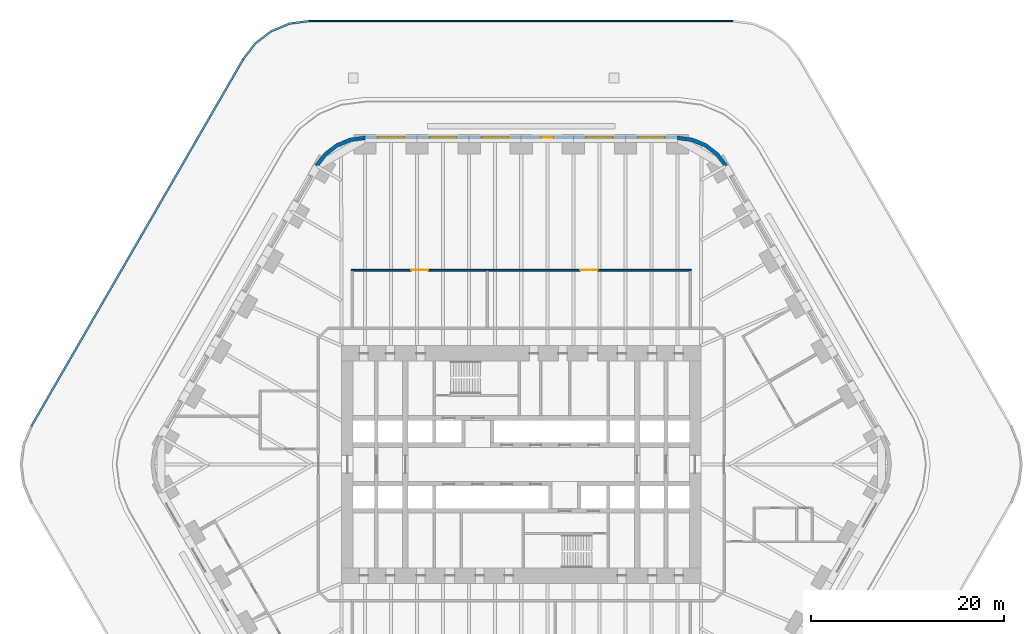
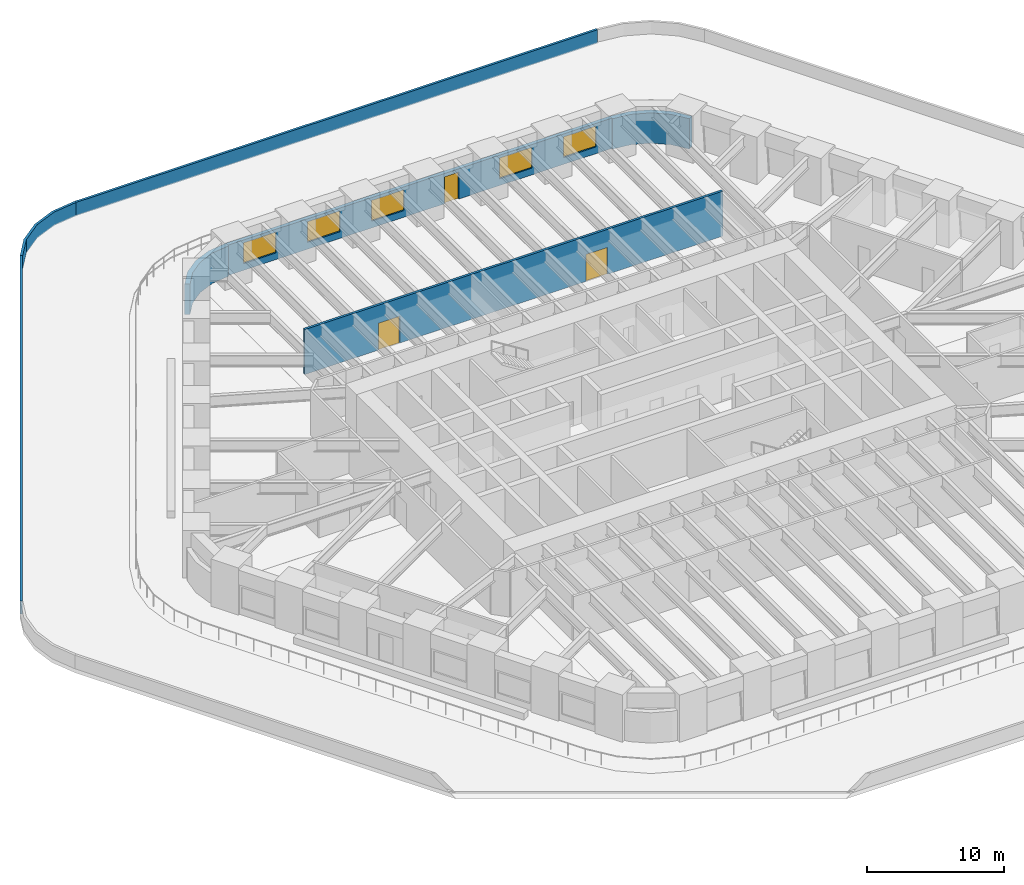
# One storey, part 13 of 17: 7 walls, 5 windows, 3 doors, 8 openings.
"""IFC4 building model written with IfcOpenShell, lengths in metres."""

from ifc_helpers import new_model, si_unit, direction, frame, frame_2d, origin, place, context, subcontext, project, spatial, polyline, rectangle, outline, extrude, material, layer, layer_set, type_object, element, fill, save


model = new_model("IFC4")

# Units and contexts
model_context = context("Model", 3, precision=1e-05, world=origin(), true_north=direction((0.0, 1.0)))
body_context = subcontext(model_context, "Body", "Model", "MODEL_VIEW")
ifc_project = project(units=[si_unit("LENGTHUNIT", "METRE"), si_unit("AREAUNIT", "SQUARE_METRE"), si_unit("VOLUMEUNIT", "CUBIC_METRE"), si_unit("PLANEANGLEUNIT", "RADIAN"), si_unit("MASSUNIT", "GRAM", prefix="KILO")], contexts=[model_context])

# Site, building, storey
site_placement = place(None, origin())
site = spatial("IfcSite", under=ifc_project, at=site_placement, CompositionType="ELEMENT")
building_placement = place(site_placement, origin())
building = spatial("IfcBuilding", under=site, at=building_placement, Name="Tarfa Lantern Tower", CompositionType="ELEMENT")
storey_placement = place(building_placement, frame((0.0, 0.0, 23.5)))
storey = spatial("IfcBuildingStorey", under=building, at=storey_placement, Name="L04", CompositionType="ELEMENT", Elevation=23.5)

# Wall, openings, door, windows
ifc_material_1 = material(Name="Limestone cladding on blockwork", Category="masonry")
ifc_layer_1 = layer(ifc_material_1, 0.300048828125)
ifc_layer_set_1 = layer_set([ifc_layer_1], Name="EW1 STONE-CLAD WALL 300")
wall_type_1 = type_object("IfcWallType", Name="EW1 STONE-CLAD WALL 300", PredefinedType="SOLIDWALL", material=ifc_layer_set_1)
wall_1_placement = place(storey_placement, frame((16.165771484375, 33.85009765625, 0.0), z_axis=(0.0, 0.0, 1.0), x_axis=(-1.0, 0.0, 0.0)))
wall_1 = element("IfcWall", 1, at=wall_1_placement, inside=storey, type_object=wall_type_1, Name="Stone wall N", PredefinedType="SOLIDWALL", context=body_context, shape_type="SweptSolid", body=[
    extrude(rectangle(XDim=32.33154296875, YDim=0.300048828125, at=frame_2d((16.165771484375, 0.0))), origin(), (0.0, 0.0, 1.0), 2.699951171875),
])
opening_1_placement = place(wall_1_placement, frame((1.3193359375, 0.0, 0.60009765625)))
opening_1 = element("IfcOpeningElement", 2, at=opening_1_placement, cuts=wall_1, Name="Opening W2", PredefinedType="OPENING", context=body_context, shape_type="SweptSolid", body=[
    extrude(rectangle(XDim=2.75, YDim=1.85009765625, at=frame_2d((1.375, 0.925048828125))), frame((0.0, 0.159912109375, 0.0), z_axis=(0.0, -1.0, 0.0), x_axis=(1.0, 0.0, 0.0)), (0.0, 0.0, 1.0), 0.320068359375),
])
opening_2_placement = place(wall_1_placement, frame((6.7080078125, 0.0, 0.60009765625)))
opening_2 = element("IfcOpeningElement", 3, at=opening_2_placement, cuts=wall_1, Name="Opening W2", PredefinedType="OPENING", context=body_context, shape_type="SweptSolid", body=[
    extrude(rectangle(XDim=2.75, YDim=1.85009765625, at=frame_2d((1.375, 0.925048828125))), frame((0.0, 0.159912109375, 0.0), z_axis=(0.0, -1.0, 0.0), x_axis=(1.0, 0.0, 0.0)), (0.0, 0.0, 1.0), 0.320068359375),
])
opening_3_placement = place(wall_1_placement, frame((12.87158203125, 0.0, 0.0)))
opening_3 = element("IfcOpeningElement", 4, at=opening_3_placement, cuts=wall_1, Name="Opening D44", PredefinedType="OPENING", context=body_context, shape_type="SweptSolid", body=[
    extrude(rectangle(XDim=1.199951171875, YDim=2.39990234375, at=frame_2d((0.60009765625, 1.199951171875))), frame((0.0, 0.159912109375, 0.0), z_axis=(0.0, -1.0, 0.0), x_axis=(1.0, 0.0, 0.0)), (0.0, 0.0, 1.0), 0.320068359375),
])
opening_4_placement = place(wall_1_placement, frame((17.485107421875, 0.0, 0.60009765625)))
opening_4 = element("IfcOpeningElement", 5, at=opening_4_placement, cuts=wall_1, Name="Opening W2", PredefinedType="OPENING", context=body_context, shape_type="SweptSolid", body=[
    extrude(rectangle(XDim=2.75, YDim=1.85009765625, at=frame_2d((1.375, 0.925048828125))), frame((0.0, 0.159912109375, 0.0), z_axis=(0.0, -1.0, 0.0), x_axis=(1.0, 0.0, 0.0)), (0.0, 0.0, 1.0), 0.320068359375),
])
opening_5_placement = place(wall_1_placement, frame((22.873779296875, 0.0, 0.60009765625)))
opening_5 = element("IfcOpeningElement", 6, at=opening_5_placement, cuts=wall_1, Name="Opening W2", PredefinedType="OPENING", context=body_context, shape_type="SweptSolid", body=[
    extrude(rectangle(XDim=2.75, YDim=1.85009765625, at=frame_2d((1.375, 0.925048828125))), frame((0.0, 0.159912109375, 0.0), z_axis=(0.0, -1.0, 0.0), x_axis=(1.0, 0.0, 0.0)), (0.0, 0.0, 1.0), 0.320068359375),
])
opening_6_placement = place(wall_1_placement, frame((28.26220703125, 0.0, 0.60009765625)))
opening_6 = element("IfcOpeningElement", 7, at=opening_6_placement, cuts=wall_1, Name="Opening W2", PredefinedType="OPENING", context=body_context, shape_type="SweptSolid", body=[
    extrude(rectangle(XDim=2.75, YDim=1.85009765625, at=frame_2d((1.375, 0.925048828125))), frame((0.0, 0.159912109375, 0.0), z_axis=(0.0, -1.0, 0.0), x_axis=(1.0, 0.0, 0.0)), (0.0, 0.0, 1.0), 0.320068359375),
])
ifc_material_2 = material(Name="Aluminium framed glazed door", Category="aluminium")
door_type_1 = type_object("IfcDoorType", Name="BE3 BALCONY DOOR 1200x2400", OperationType="SINGLE_SWING_RIGHT", PredefinedType="DOOR", material=ifc_material_2)
door_1_placement = place(opening_3_placement, origin())
door_1 = element("IfcDoor", 8, at=door_1_placement, inside=storey, type_object=door_type_1, Name="Balcony door N", OperationType="SINGLE_SWING_RIGHT", OverallHeight=2.39990234375, OverallWidth=1.199951171875, PredefinedType="DOOR", context=body_context, shape_type="SweptSolid", body=[
    extrude(rectangle(XDim=1.199951171875, YDim=2.39990234375, at=frame_2d((0.60009765625, 1.199951171875))), frame((0.0, 0.02490234375, 0.0), z_axis=(0.0, -1.0, 0.0), x_axis=(1.0, 0.0, 0.0)), (0.0, 0.0, 1.0), 0.050048828125),
])
fill(opening_3, door_1)
ifc_material_3 = material(Name="Aluminium frame, double glazed", Category="aluminium")
window_type = type_object("IfcWindowType", Name="W2 FULL-HEIGHT GLAZING 2750x1850", PartitioningType="SINGLE_PANEL", PredefinedType="WINDOW", material=ifc_material_3)
window_1_placement = place(opening_1_placement, origin())
window_1 = element("IfcWindow", 9, at=window_1_placement, inside=storey, type_object=window_type, Name="Window N 1", OverallHeight=1.85009765625, OverallWidth=2.75, PartitioningType="SINGLE_PANEL", PredefinedType="WINDOW", context=body_context, shape_type="SweptSolid", body=[
    extrude(rectangle(XDim=2.75, YDim=1.85009765625, at=frame_2d((1.375, 0.925048828125))), frame((0.0, 0.030029296875, 0.0), z_axis=(0.0, -1.0, 0.0), x_axis=(1.0, 0.0, 0.0)), (0.0, 0.0, 1.0), 0.06005859375),
])
fill(opening_1, window_1)
window_2_placement = place(opening_2_placement, origin())
window_2 = element("IfcWindow", 10, at=window_2_placement, inside=storey, type_object=window_type, Name="Window N 2", OverallHeight=1.85009765625, OverallWidth=2.75, PartitioningType="SINGLE_PANEL", PredefinedType="WINDOW", context=body_context, shape_type="SweptSolid", body=[
    extrude(rectangle(XDim=2.75, YDim=1.85009765625, at=frame_2d((1.375, 0.925048828125))), frame((0.0, 0.030029296875, 0.0), z_axis=(0.0, -1.0, 0.0), x_axis=(1.0, 0.0, 0.0)), (0.0, 0.0, 1.0), 0.06005859375),
])
fill(opening_2, window_2)
window_3_placement = place(opening_4_placement, origin())
window_3 = element("IfcWindow", 11, at=window_3_placement, inside=storey, type_object=window_type, Name="Window N 4", OverallHeight=1.85009765625, OverallWidth=2.75, PartitioningType="SINGLE_PANEL", PredefinedType="WINDOW", context=body_context, shape_type="SweptSolid", body=[
    extrude(rectangle(XDim=2.75, YDim=1.85009765625, at=frame_2d((1.375, 0.925048828125))), frame((0.0, 0.030029296875, 0.0), z_axis=(0.0, -1.0, 0.0), x_axis=(1.0, 0.0, 0.0)), (0.0, 0.0, 1.0), 0.06005859375),
])
fill(opening_4, window_3)
window_4_placement = place(opening_5_placement, origin())
window_4 = element("IfcWindow", 12, at=window_4_placement, inside=storey, type_object=window_type, Name="Window N 5", OverallHeight=1.85009765625, OverallWidth=2.75, PartitioningType="SINGLE_PANEL", PredefinedType="WINDOW", context=body_context, shape_type="SweptSolid", body=[
    extrude(rectangle(XDim=2.75, YDim=1.85009765625, at=frame_2d((1.375, 0.925048828125))), frame((0.0, 0.030029296875, 0.0), z_axis=(0.0, -1.0, 0.0), x_axis=(1.0, 0.0, 0.0)), (0.0, 0.0, 1.0), 0.06005859375),
])
fill(opening_5, window_4)
window_5_placement = place(opening_6_placement, origin())
window_5 = element("IfcWindow", 13, at=window_5_placement, inside=storey, type_object=window_type, Name="Window N 6", OverallHeight=1.85009765625, OverallWidth=2.75, PartitioningType="SINGLE_PANEL", PredefinedType="WINDOW", context=body_context, shape_type="SweptSolid", body=[
    extrude(rectangle(XDim=2.75, YDim=1.85009765625, at=frame_2d((1.375, 0.925048828125))), frame((0.0, 0.030029296875, 0.0), z_axis=(0.0, -1.0, 0.0), x_axis=(1.0, 0.0, 0.0)), (0.0, 0.0, 1.0), 0.06005859375),
])
fill(opening_6, window_5)

# Walls
ifc_layer_2 = layer(ifc_material_1, 0.39990234375)
ifc_layer_set_2 = layer_set([ifc_layer_2], Name="EW2 CURVED STONE CORNER 400")
wall_type_2 = type_object("IfcWallType", Name="EW2 CURVED STONE CORNER 400", PredefinedType="SOLIDWALL", material=ifc_layer_set_2)
wall_2_placement = place(storey_placement, origin())
element("IfcWall", 14, at=wall_2_placement, inside=storey, type_object=wall_type_2, Name="Stone corner NE-N", PredefinedType="SOLIDWALL", context=body_context, shape_type="SweptSolid", body=[
    extrude(outline(polyline([(21.362060546875, 31.0), (20.408447265625, 32.24267578125), (19.165771484375, 33.196044921875), (17.71875, 33.795654296875), (16.165771484375, 34.0), (16.165771484375, 33.60009765625), (17.615234375, 33.4091796875), (18.9658203125, 32.849853515625), (20.12548828125, 31.959716796875), (21.015625, 30.800048828125), (21.362060546875, 31.0)])), origin(), (0.0, 0.0, 1.0), 2.699951171875),
])
wall_3_placement = place(storey_placement, origin())
element("IfcWall", 15, at=wall_3_placement, inside=storey, type_object=wall_type_2, Name="Stone corner N-NW", PredefinedType="SOLIDWALL", context=body_context, shape_type="SweptSolid", body=[
    extrude(outline(polyline([(-16.165771484375, 34.0), (-17.71875, 33.795654296875), (-19.165771484375, 33.196044921875), (-20.408447265625, 32.24267578125), (-21.362060546875, 31.0), (-21.015625, 30.800048828125), (-20.12548828125, 31.959716796875), (-18.9658203125, 32.849853515625), (-17.615234375, 33.4091796875), (-16.165771484375, 33.60009765625), (-16.165771484375, 34.0)])), origin(), (0.0, 0.0, 1.0), 2.699951171875),
])

# Wall, openings, doors
ifc_material_4 = material(Name="Gypsum board on steel studs", Category="steel")
ifc_layer_3 = layer(ifc_material_4, 0.2099609375)
ifc_layer_set_3 = layer_set([ifc_layer_3], Name="IW2 ACOUSTIC PARTITION 200")
wall_type_3 = type_object("IfcWallType", Name="IW2 ACOUSTIC PARTITION 200", PredefinedType="PARTITIONING", material=ifc_layer_set_3)
wall_4_placement = place(storey_placement, frame((-17.60009765625, 20.10009765625, 0.0), z_axis=(0.0, 0.0, 1.0), x_axis=(1.0, 0.0, 0.0)))
wall_4 = element("IfcWall", 16, at=wall_4_placement, inside=storey, type_object=wall_type_3, Name="Partition", PredefinedType="PARTITIONING", context=body_context, shape_type="SweptSolid", body=[
    extrude(rectangle(XDim=35.2001953125, YDim=0.199951171875, at=frame_2d((17.60009765625, 0.0))), origin(), (0.0, 0.0, 1.0), 4.0),
])
opening_7_placement = place(wall_4_placement, frame((6.199951171875, 0.0, 0.0)))
opening_7 = element("IfcOpeningElement", 17, at=opening_7_placement, cuts=wall_4, Name="Opening D35", PredefinedType="OPENING", context=body_context, shape_type="SweptSolid", body=[
    extrude(rectangle(XDim=1.800048828125, YDim=2.39990234375, at=frame_2d((0.89990234375, 1.199951171875))), frame((0.0, 0.10986328125, 0.0), z_axis=(0.0, -1.0, 0.0), x_axis=(1.0, 0.0, 0.0)), (0.0, 0.0, 1.0), 0.219970703125),
])
opening_8_placement = place(wall_4_placement, frame((23.699951171875, 0.0, 0.0)))
opening_8 = element("IfcOpeningElement", 18, at=opening_8_placement, cuts=wall_4, Name="Opening D36", PredefinedType="OPENING", context=body_context, shape_type="SweptSolid", body=[
    extrude(rectangle(XDim=1.800048828125, YDim=2.39990234375, at=frame_2d((0.89990234375, 1.199951171875))), frame((0.0, 0.10986328125, 0.0), z_axis=(0.0, -1.0, 0.0), x_axis=(1.0, 0.0, 0.0)), (0.0, 0.0, 1.0), 0.219970703125),
])
ifc_material_5 = material(Name="Timber door", Category="wood")
door_type_2 = type_object("IfcDoorType", Name="DR2 ROOM DOOR 1800x2400", OperationType="DOUBLE_DOOR_SINGLE_SWING", PredefinedType="DOOR", material=ifc_material_5)
door_2_placement = place(opening_7_placement, frame((1.800048828125, 0.0, 0.0), z_axis=(0.0, 0.0, 1.0), x_axis=(-1.0, 0.0, 0.0)))
door_2 = element("IfcDoor", 19, at=door_2_placement, inside=storey, type_object=door_type_2, Name="Team room door", OperationType="DOUBLE_DOOR_SINGLE_SWING", OverallHeight=2.39990234375, OverallWidth=1.800048828125, PredefinedType="DOOR", context=body_context, shape_type="SweptSolid", body=[
    extrude(rectangle(XDim=1.800048828125, YDim=2.39990234375, at=frame_2d((0.89990234375, 1.199951171875))), frame((0.0, 0.02490234375, 0.0), z_axis=(0.0, -1.0, 0.0), x_axis=(1.0, 0.0, 0.0)), (0.0, 0.0, 1.0), 0.050048828125),
])
fill(opening_7, door_2)
door_3_placement = place(opening_8_placement, frame((1.800048828125, 0.0, 0.0), z_axis=(0.0, 0.0, 1.0), x_axis=(-1.0, 0.0, 0.0)))
door_3 = element("IfcDoor", 20, at=door_3_placement, inside=storey, type_object=door_type_2, Name="Team room door", OperationType="DOUBLE_DOOR_SINGLE_SWING", OverallHeight=2.39990234375, OverallWidth=1.800048828125, PredefinedType="DOOR", context=body_context, shape_type="SweptSolid", body=[
    extrude(rectangle(XDim=1.800048828125, YDim=2.39990234375, at=frame_2d((0.89990234375, 1.199951171875))), frame((0.0, 0.02490234375, 0.0), z_axis=(0.0, -1.0, 0.0), x_axis=(1.0, 0.0, 0.0)), (0.0, 0.0, 1.0), 0.050048828125),
])
fill(opening_8, door_3)

# Walls
ifc_layer_4 = layer(ifc_material_1, 0.199951171875)
ifc_layer_set_4 = layer_set([ifc_layer_4], Name="PP1 STONE PARAPET 200")
wall_type_4 = type_object("IfcWallType", Name="PP1 STONE PARAPET 200", PredefinedType="PARAPET", material=ifc_layer_set_4)
wall_5_placement = place(storey_placement, frame((21.939208984375, 45.89990234375, 0.0), z_axis=(0.0, 0.0, 1.0), x_axis=(-1.0, 0.0, 0.0)))
element("IfcWall", 21, at=wall_5_placement, inside=storey, type_object=wall_type_4, Name="Green roof parapet N", PredefinedType="PARAPET", context=body_context, shape_type="SweptSolid", body=[
    extrude(rectangle(XDim=43.87841796875, YDim=0.199951171875, at=frame_2d((21.939208984375, 0.0))), origin(), (0.0, 0.0, 1.0), 1.199951171875),
])
wall_6_placement = place(storey_placement, origin())
element("IfcWall", 22, at=wall_6_placement, inside=storey, type_object=wall_type_4, Name="Green roof parapet corner N-NW", PredefinedType="PARAPET", context=body_context, shape_type="SweptSolid", body=[
    extrude(outline(polyline([(-21.939208984375, 46.0), (-24.009765625, 45.727294921875), (-25.939208984375, 44.92822265625), (-27.59619140625, 43.65673828125), (-28.867431640625, 42.0), (-28.6943359375, 41.89990234375), (-27.454833984375, 43.515380859375), (-25.83935546875, 44.7548828125), (-23.9580078125, 45.5341796875), (-21.939208984375, 45.800048828125), (-21.939208984375, 46.0)])), origin(), (0.0, 0.0, 1.0), 1.199951171875),
])
wall_7_placement = place(storey_placement, frame((-28.781005859375, 41.949951171875, 0.0), z_axis=(0.0, 0.0, 1.0), x_axis=(-0.499998269459, -0.86602640291, 0.0)))
element("IfcWall", 23, at=wall_7_placement, inside=storey, type_object=wall_type_4, Name="Green roof parapet NW", PredefinedType="PARAPET", context=body_context, shape_type="SweptSolid", body=[
    extrude(rectangle(XDim=43.878662109375, YDim=0.199951171875, at=frame_2d((21.939453125, 0.0))), origin(), (0.0, 0.0, 1.0), 1.199951171875),
])

save(model, "model.ifc")
